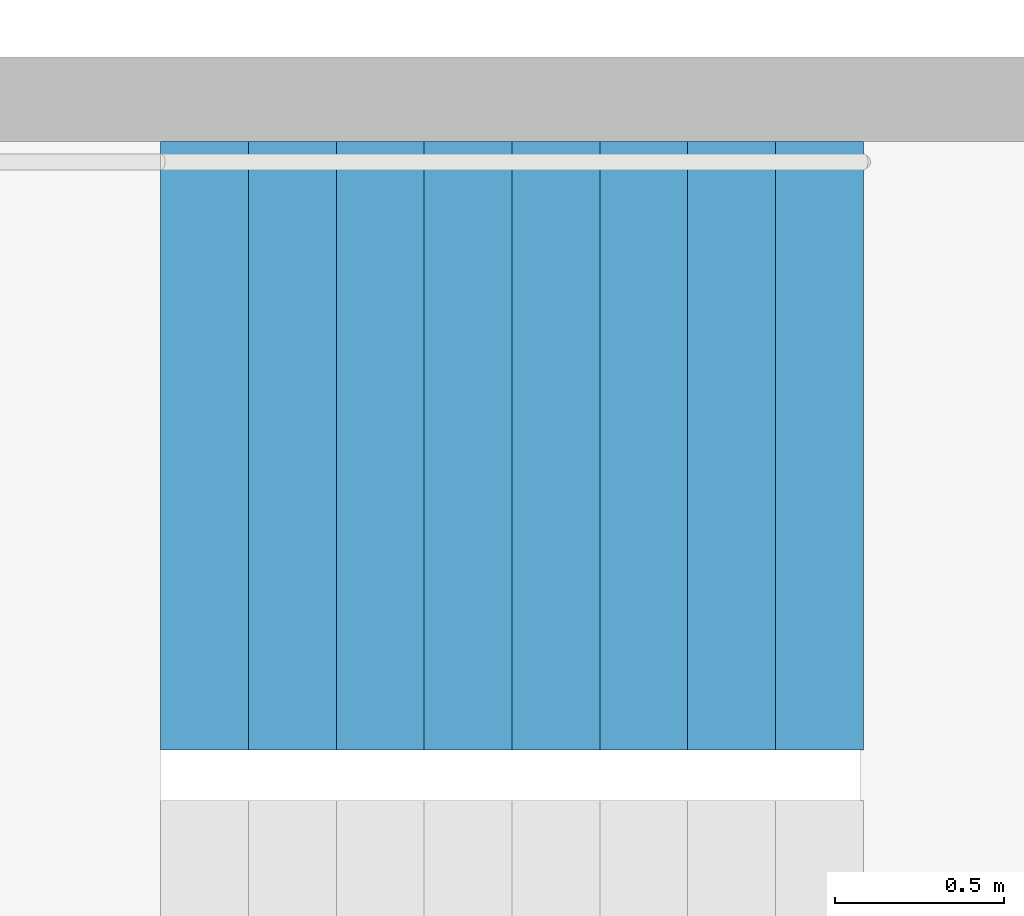
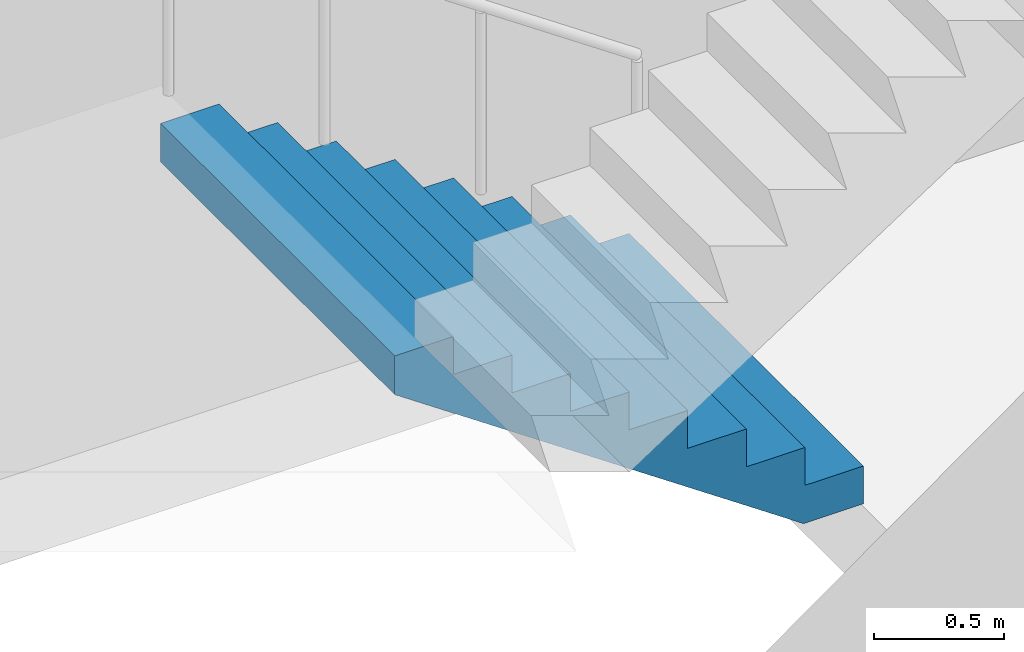
# One storey, part 22 of 36: 1 stair flight, 1 element without a shape of its own.
"""IFC4 building model written with IfcOpenShell, lengths in metres."""

from ifc_helpers import new_model, si_unit, direction, frame, origin, place, context, subcontext, project, spatial, triangles, material, type_object, element, aggregate, save


model = new_model("IFC4")

# Units and contexts
model_context = context("Model", 3, precision=1e-05, world=origin(), true_north=direction((0.0, 1.0)))
body_context = subcontext(model_context, "Body", "Model", "MODEL_VIEW")
ifc_project = project(units=[si_unit("LENGTHUNIT", "METRE"), si_unit("AREAUNIT", "SQUARE_METRE"), si_unit("VOLUMEUNIT", "CUBIC_METRE"), si_unit("PLANEANGLEUNIT", "RADIAN"), si_unit("MASSUNIT", "GRAM", prefix="KILO")], contexts=[model_context])

# Site, building, storey
site_placement = place(None, origin())
site = spatial("IfcSite", under=ifc_project, at=site_placement, CompositionType="ELEMENT")
building_placement = place(site_placement, origin())
building = spatial("IfcBuilding", under=site, at=building_placement, Name="Hakoniwa Tower and Hamabe Station Hall", CompositionType="ELEMENT")
storey_placement = place(building_placement, frame((0.0, 0.0, 26.199951171875)))
storey = spatial("IfcBuildingStorey", under=building, at=storey_placement, Name="L06", CompositionType="ELEMENT", Elevation=26.199951171875)

# Stair, stair flight
ifc_material_1 = material(Name="Concrete C40", Category="concrete")
stair_type = type_object("IfcStairType", Name="ESCAPE STAIR 1800", PredefinedType="HALF_TURN_STAIR", material=ifc_material_1)
stair_placement = place(storey_placement, origin())
stair = element("IfcStair", 1, at=stair_placement, inside=storey, type_object=stair_type, Name="Escape stair ST-2 L06", PredefinedType="HALF_TURN_STAIR")
ifc_material_2 = material(Name="Concrete C40", Category="concrete")
stair_flight_type = type_object("IfcStairFlightType", Name="STAIR FLIGHT 1800", PredefinedType="STRAIGHT", material=ifc_material_2)
stair_flight_placement = place(storey_placement, frame((-23.39990234375, -4.64990234375, 0.0), z_axis=(0.0, 0.0, 1.0), x_axis=(-1.0, 0.0, 0.0)))
stair_flight = element("IfcStairFlight", 2, at=stair_flight_placement, type_object=stair_flight_type, Name="ST-2 flight 1", NumberOfRisers=9, NumberOfTreads=8, PredefinedType="STRAIGHT", RiserHeight=0.177777778, TreadLength=0.26, context=body_context, shape_type="Tessellation", body=[
    triangles([(0.0, 0.89990234375, 0.0), (0.260009765625, 0.89990234375, 0.0), (0.265625, 0.89990234375, 0.0), (0.52001953125, 0.89990234375, 0.174072265625), (0.780029296875, 0.89990234375, 0.351806640625), (1.0400390625, 0.89990234375, 0.529541015625), (1.300048828125, 0.89990234375, 0.707275390625), (1.56005859375, 0.89990234375, 0.885009765625), (1.820068359375, 0.89990234375, 1.062744140625), (2.080078125, 0.89990234375, 1.24072265625), (2.080078125, 0.89990234375, 1.422119140625), (1.820068359375, 0.89990234375, 1.422119140625), (1.820068359375, 0.89990234375, 1.244384765625), (1.56005859375, 0.89990234375, 1.244384765625), (1.56005859375, 0.89990234375, 1.066650390625), (1.300048828125, 0.89990234375, 1.066650390625), (1.300048828125, 0.89990234375, 0.888916015625), (1.0400390625, 0.89990234375, 0.888916015625), (1.0400390625, 0.89990234375, 0.711181640625), (0.780029296875, 0.89990234375, 0.711181640625), (0.780029296875, 0.89990234375, 0.533447265625), (0.52001953125, 0.89990234375, 0.533447265625), (0.52001953125, 0.89990234375, 0.35546875), (0.265625, 0.89990234375, 0.35546875), (0.260009765625, 0.89990234375, 0.35546875), (0.260009765625, 0.89990234375, 0.177734375), (0.0, 0.89990234375, 0.177734375), (0.0, 0.06005859375, 0.0), (0.260009765625, 0.06005859375, 0.0), (0.265625, 0.06005859375, 0.0), (0.52001953125, 0.06005859375, 0.174072265625), (0.780029296875, 0.06005859375, 0.351806640625), (1.0400390625, 0.06005859375, 0.529541015625), (1.300048828125, 0.06005859375, 0.707275390625), (1.56005859375, 0.06005859375, 0.885009765625), (1.820068359375, 0.06005859375, 1.062744140625), (2.080078125, 0.06005859375, 1.24072265625), (2.080078125, 0.06005859375, 1.422119140625), (1.820068359375, 0.06005859375, 1.422119140625), (1.820068359375, 0.06005859375, 1.244384765625), (1.56005859375, 0.06005859375, 1.244384765625), (1.56005859375, 0.06005859375, 1.066650390625), (1.300048828125, 0.06005859375, 1.066650390625), (1.300048828125, 0.06005859375, 0.888916015625), (1.0400390625, 0.06005859375, 0.888916015625), (1.0400390625, 0.06005859375, 0.711181640625), (0.780029296875, 0.06005859375, 0.711181640625), (0.780029296875, 0.06005859375, 0.533447265625), (0.52001953125, 0.06005859375, 0.533447265625), (0.52001953125, 0.06005859375, 0.35546875), (0.265625, 0.06005859375, 0.35546875), (0.260009765625, 0.06005859375, 0.35546875), (0.260009765625, 0.06005859375, 0.177734375), (0.0, 0.06005859375, 0.177734375), (0.0, 0.04296875, 0.0), (0.260009765625, 0.04296875, 0.0), (0.265625, 0.04296875, 0.0), (0.52001953125, 0.04296875, 0.174072265625), (0.780029296875, 0.04296875, 0.351806640625), (1.0400390625, 0.04296875, 0.529541015625), (1.300048828125, 0.04296875, 0.707275390625), (1.56005859375, 0.04296875, 0.885009765625), (1.820068359375, 0.04296875, 1.062744140625), (2.080078125, 0.04296875, 1.24072265625), (2.080078125, 0.04296875, 1.422119140625), (1.820068359375, 0.04296875, 1.422119140625), (1.820068359375, 0.04296875, 1.244384765625), (1.56005859375, 0.04296875, 1.244384765625), (1.56005859375, 0.04296875, 1.066650390625), (1.300048828125, 0.04296875, 1.066650390625), (1.300048828125, 0.04296875, 0.888916015625), (1.0400390625, 0.04296875, 0.888916015625), (1.0400390625, 0.04296875, 0.711181640625), (0.780029296875, 0.04296875, 0.711181640625), (0.780029296875, 0.04296875, 0.533447265625), (0.52001953125, 0.04296875, 0.533447265625), (0.52001953125, 0.04296875, 0.35546875), (0.265625, 0.04296875, 0.35546875), (0.260009765625, 0.04296875, 0.35546875), (0.260009765625, 0.04296875, 0.177734375), (0.0, 0.04296875, 0.177734375), (0.0, 0.025634765625, 0.0), (0.260009765625, 0.025634765625, 0.0), (0.265625, 0.025634765625, 0.0), (0.52001953125, 0.025634765625, 0.174072265625), (0.780029296875, 0.025634765625, 0.351806640625), (1.0400390625, 0.025634765625, 0.529541015625), (1.300048828125, 0.025634765625, 0.707275390625), (1.56005859375, 0.025634765625, 0.885009765625), (1.820068359375, 0.025634765625, 1.062744140625), (2.080078125, 0.025634765625, 1.24072265625), (2.080078125, 0.025634765625, 1.422119140625), (1.820068359375, 0.025634765625, 1.422119140625), (1.820068359375, 0.025634765625, 1.244384765625), (1.56005859375, 0.025634765625, 1.244384765625), (1.56005859375, 0.025634765625, 1.066650390625), (1.300048828125, 0.025634765625, 1.066650390625), (1.300048828125, 0.025634765625, 0.888916015625), (1.0400390625, 0.025634765625, 0.888916015625), (1.0400390625, 0.025634765625, 0.711181640625), (0.780029296875, 0.025634765625, 0.711181640625), (0.780029296875, 0.025634765625, 0.533447265625), (0.52001953125, 0.025634765625, 0.533447265625), (0.52001953125, 0.025634765625, 0.35546875), (0.265625, 0.025634765625, 0.35546875), (0.260009765625, 0.025634765625, 0.35546875), (0.260009765625, 0.025634765625, 0.177734375), (0.0, 0.025634765625, 0.177734375), (0.0, 0.008544921875, 0.0), (0.260009765625, 0.008544921875, 0.0), (0.265625, 0.008544921875, 0.0), (0.52001953125, 0.008544921875, 0.174072265625), (0.780029296875, 0.008544921875, 0.351806640625), (1.0400390625, 0.008544921875, 0.529541015625), (1.300048828125, 0.008544921875, 0.707275390625), (1.56005859375, 0.008544921875, 0.885009765625), (1.820068359375, 0.008544921875, 1.062744140625), (2.080078125, 0.008544921875, 1.24072265625), (2.080078125, 0.008544921875, 1.422119140625), (1.820068359375, 0.008544921875, 1.422119140625), (1.820068359375, 0.008544921875, 1.244384765625), (1.56005859375, 0.008544921875, 1.244384765625), (1.56005859375, 0.008544921875, 1.066650390625), (1.300048828125, 0.008544921875, 1.066650390625), (1.300048828125, 0.008544921875, 0.888916015625), (1.0400390625, 0.008544921875, 0.888916015625), (1.0400390625, 0.008544921875, 0.711181640625), (0.780029296875, 0.008544921875, 0.711181640625), (0.780029296875, 0.008544921875, 0.533447265625), (0.52001953125, 0.008544921875, 0.533447265625), (0.52001953125, 0.008544921875, 0.35546875), (0.265625, 0.008544921875, 0.35546875), (0.260009765625, 0.008544921875, 0.35546875), (0.260009765625, 0.008544921875, 0.177734375), (0.0, 0.008544921875, 0.177734375), (0.0, -0.008544921875, 0.0), (0.260009765625, -0.008544921875, 0.0), (0.265625, -0.008544921875, 0.0), (0.52001953125, -0.008544921875, 0.174072265625), (0.780029296875, -0.008544921875, 0.351806640625), (1.0400390625, -0.008544921875, 0.529541015625), (1.300048828125, -0.008544921875, 0.707275390625), (1.56005859375, -0.008544921875, 0.885009765625), (1.820068359375, -0.008544921875, 1.062744140625), (2.080078125, -0.008544921875, 1.24072265625), (2.080078125, -0.008544921875, 1.422119140625), (1.820068359375, -0.008544921875, 1.422119140625), (1.820068359375, -0.008544921875, 1.244384765625), (1.56005859375, -0.008544921875, 1.244384765625), (1.56005859375, -0.008544921875, 1.066650390625), (1.300048828125, -0.008544921875, 1.066650390625), (1.300048828125, -0.008544921875, 0.888916015625), (1.0400390625, -0.008544921875, 0.888916015625), (1.0400390625, -0.008544921875, 0.711181640625), (0.780029296875, -0.008544921875, 0.711181640625), (0.780029296875, -0.008544921875, 0.533447265625), (0.52001953125, -0.008544921875, 0.533447265625), (0.52001953125, -0.008544921875, 0.35546875), (0.265625, -0.008544921875, 0.35546875), (0.260009765625, -0.008544921875, 0.35546875), (0.260009765625, -0.008544921875, 0.177734375), (0.0, -0.008544921875, 0.177734375), (0.0, -0.025634765625, 0.0), (0.260009765625, -0.025634765625, 0.0), (0.265625, -0.025634765625, 0.0), (0.52001953125, -0.025634765625, 0.174072265625), (0.780029296875, -0.025634765625, 0.351806640625), (1.0400390625, -0.025634765625, 0.529541015625), (1.300048828125, -0.025634765625, 0.707275390625), (1.56005859375, -0.025634765625, 0.885009765625), (1.820068359375, -0.025634765625, 1.062744140625), (2.080078125, -0.025634765625, 1.24072265625), (2.080078125, -0.025634765625, 1.422119140625), (1.820068359375, -0.025634765625, 1.422119140625), (1.820068359375, -0.025634765625, 1.244384765625), (1.56005859375, -0.025634765625, 1.244384765625), (1.56005859375, -0.025634765625, 1.066650390625), (1.300048828125, -0.025634765625, 1.066650390625), (1.300048828125, -0.025634765625, 0.888916015625), (1.0400390625, -0.025634765625, 0.888916015625), (1.0400390625, -0.025634765625, 0.711181640625), (0.780029296875, -0.025634765625, 0.711181640625), (0.780029296875, -0.025634765625, 0.533447265625), (0.52001953125, -0.025634765625, 0.533447265625), (0.52001953125, -0.025634765625, 0.35546875), (0.265625, -0.025634765625, 0.35546875), (0.260009765625, -0.025634765625, 0.35546875), (0.260009765625, -0.025634765625, 0.177734375), (0.0, -0.025634765625, 0.177734375), (0.0, -0.04296875, 0.0), (0.260009765625, -0.04296875, 0.0), (0.265625, -0.04296875, 0.0), (0.52001953125, -0.04296875, 0.174072265625), (0.780029296875, -0.04296875, 0.351806640625), (1.0400390625, -0.04296875, 0.529541015625), (1.300048828125, -0.04296875, 0.707275390625), (1.56005859375, -0.04296875, 0.885009765625), (1.820068359375, -0.04296875, 1.062744140625), (2.080078125, -0.04296875, 1.24072265625), (2.080078125, -0.04296875, 1.422119140625), (1.820068359375, -0.04296875, 1.422119140625), (1.820068359375, -0.04296875, 1.244384765625), (1.56005859375, -0.04296875, 1.244384765625), (1.56005859375, -0.04296875, 1.066650390625), (1.300048828125, -0.04296875, 1.066650390625), (1.300048828125, -0.04296875, 0.888916015625), (1.0400390625, -0.04296875, 0.888916015625), (1.0400390625, -0.04296875, 0.711181640625), (0.780029296875, -0.04296875, 0.711181640625), (0.780029296875, -0.04296875, 0.533447265625), (0.52001953125, -0.04296875, 0.533447265625), (0.52001953125, -0.04296875, 0.35546875), (0.265625, -0.04296875, 0.35546875), (0.260009765625, -0.04296875, 0.35546875), (0.260009765625, -0.04296875, 0.177734375), (0.0, -0.04296875, 0.177734375), (0.0, -0.06005859375, 0.0), (0.260009765625, -0.06005859375, 0.0), (0.265625, -0.06005859375, 0.0), (0.52001953125, -0.06005859375, 0.174072265625), (0.780029296875, -0.06005859375, 0.351806640625), (1.0400390625, -0.06005859375, 0.529541015625), (1.300048828125, -0.06005859375, 0.707275390625), (1.56005859375, -0.06005859375, 0.885009765625), (1.820068359375, -0.06005859375, 1.062744140625), (2.080078125, -0.06005859375, 1.24072265625), (2.080078125, -0.06005859375, 1.422119140625), (1.820068359375, -0.06005859375, 1.422119140625), (1.820068359375, -0.06005859375, 1.244384765625), (1.56005859375, -0.06005859375, 1.244384765625), (1.56005859375, -0.06005859375, 1.066650390625), (1.300048828125, -0.06005859375, 1.066650390625), (1.300048828125, -0.06005859375, 0.888916015625), (1.0400390625, -0.06005859375, 0.888916015625), (1.0400390625, -0.06005859375, 0.711181640625), (0.780029296875, -0.06005859375, 0.711181640625), (0.780029296875, -0.06005859375, 0.533447265625), (0.52001953125, -0.06005859375, 0.533447265625), (0.52001953125, -0.06005859375, 0.35546875), (0.265625, -0.06005859375, 0.35546875), (0.260009765625, -0.06005859375, 0.35546875), (0.260009765625, -0.06005859375, 0.177734375), (0.0, -0.06005859375, 0.177734375), (0.0, -0.89990234375, 0.0), (0.260009765625, -0.89990234375, 0.0), (0.265625, -0.89990234375, 0.0), (0.52001953125, -0.89990234375, 0.174072265625), (0.780029296875, -0.89990234375, 0.351806640625), (1.0400390625, -0.89990234375, 0.529541015625), (1.300048828125, -0.89990234375, 0.707275390625), (1.56005859375, -0.89990234375, 0.885009765625), (1.820068359375, -0.89990234375, 1.062744140625), (2.080078125, -0.89990234375, 1.24072265625), (2.080078125, -0.89990234375, 1.422119140625), (1.820068359375, -0.89990234375, 1.422119140625), (1.820068359375, -0.89990234375, 1.244384765625), (1.56005859375, -0.89990234375, 1.244384765625), (1.56005859375, -0.89990234375, 1.066650390625), (1.300048828125, -0.89990234375, 1.066650390625), (1.300048828125, -0.89990234375, 0.888916015625), (1.0400390625, -0.89990234375, 0.888916015625), (1.0400390625, -0.89990234375, 0.711181640625), (0.780029296875, -0.89990234375, 0.711181640625), (0.780029296875, -0.89990234375, 0.533447265625), (0.52001953125, -0.89990234375, 0.533447265625), (0.52001953125, -0.89990234375, 0.35546875), (0.265625, -0.89990234375, 0.35546875), (0.260009765625, -0.89990234375, 0.35546875), (0.260009765625, -0.89990234375, 0.177734375), (0.0, -0.89990234375, 0.177734375)], [[2, 27, 26], [245, 269, 270], [2, 1, 27], [245, 270, 244], [3, 25, 24], [246, 267, 268], [3, 26, 25], [246, 268, 269], [3, 2, 26], [246, 269, 245], [4, 24, 23], [247, 266, 267], [4, 3, 24], [247, 267, 246], [5, 22, 21], [248, 264, 265], [5, 23, 22], [248, 265, 266], [5, 4, 23], [248, 266, 247], [6, 20, 19], [249, 262, 263], [6, 21, 20], [249, 263, 264], [6, 5, 21], [249, 264, 248], [7, 18, 17], [250, 260, 261], [7, 19, 18], [250, 261, 262], [7, 6, 19], [250, 262, 249], [8, 16, 15], [251, 258, 259], [8, 17, 16], [251, 259, 260], [8, 7, 17], [251, 260, 250], [9, 14, 13], [252, 256, 257], [9, 15, 14], [252, 257, 258], [9, 8, 15], [252, 258, 251], [10, 12, 11], [253, 254, 255], [10, 13, 12], [253, 255, 256], [10, 9, 13], [253, 256, 252], [1, 2, 29], [1, 29, 28], [28, 29, 56], [28, 56, 55], [55, 56, 83], [55, 83, 82], [82, 83, 110], [82, 110, 109], [109, 110, 137], [109, 137, 136], [136, 137, 164], [136, 164, 163], [163, 164, 191], [163, 191, 190], [190, 191, 218], [190, 218, 217], [217, 218, 245], [217, 245, 244], [2, 3, 30], [2, 30, 29], [29, 30, 57], [29, 57, 56], [56, 57, 84], [56, 84, 83], [83, 84, 111], [83, 111, 110], [110, 111, 138], [110, 138, 137], [137, 138, 165], [137, 165, 164], [164, 165, 192], [164, 192, 191], [191, 192, 219], [191, 219, 218], [218, 219, 246], [218, 246, 245], [3, 4, 31], [3, 31, 30], [30, 31, 58], [30, 58, 57], [57, 58, 85], [57, 85, 84], [84, 85, 112], [84, 112, 111], [111, 112, 139], [111, 139, 138], [138, 139, 166], [138, 166, 165], [165, 166, 193], [165, 193, 192], [192, 193, 220], [192, 220, 219], [219, 220, 247], [219, 247, 246], [4, 5, 32], [4, 32, 31], [31, 32, 59], [31, 59, 58], [58, 59, 86], [58, 86, 85], [85, 86, 113], [85, 113, 112], [112, 113, 140], [112, 140, 139], [139, 140, 167], [139, 167, 166], [166, 167, 194], [166, 194, 193], [193, 194, 221], [193, 221, 220], [220, 221, 248], [220, 248, 247], [5, 6, 33], [5, 33, 32], [32, 33, 60], [32, 60, 59], [59, 60, 87], [59, 87, 86], [86, 87, 114], [86, 114, 113], [113, 114, 141], [113, 141, 140], [140, 141, 168], [140, 168, 167], [167, 168, 195], [167, 195, 194], [194, 195, 222], [194, 222, 221], [221, 222, 249], [221, 249, 248], [6, 7, 34], [6, 34, 33], [33, 34, 61], [33, 61, 60], [60, 61, 88], [60, 88, 87], [87, 88, 115], [87, 115, 114], [114, 115, 142], [114, 142, 141], [141, 142, 169], [141, 169, 168], [168, 169, 196], [168, 196, 195], [195, 196, 223], [195, 223, 222], [222, 223, 250], [222, 250, 249], [7, 8, 35], [7, 35, 34], [34, 35, 62], [34, 62, 61], [61, 62, 89], [61, 89, 88], [88, 89, 116], [88, 116, 115], [115, 116, 143], [115, 143, 142], [142, 143, 170], [142, 170, 169], [169, 170, 197], [169, 197, 196], [196, 197, 224], [196, 224, 223], [223, 224, 251], [223, 251, 250], [8, 9, 36], [8, 36, 35], [35, 36, 63], [35, 63, 62], [62, 63, 90], [62, 90, 89], [89, 90, 117], [89, 117, 116], [116, 117, 144], [116, 144, 143], [143, 144, 171], [143, 171, 170], [170, 171, 198], [170, 198, 197], [197, 198, 225], [197, 225, 224], [224, 225, 252], [224, 252, 251], [9, 10, 37], [9, 37, 36], [36, 37, 64], [36, 64, 63], [63, 64, 91], [63, 91, 90], [90, 91, 118], [90, 118, 117], [117, 118, 145], [117, 145, 144], [144, 145, 172], [144, 172, 171], [171, 172, 199], [171, 199, 198], [198, 199, 226], [198, 226, 225], [225, 226, 253], [225, 253, 252], [10, 11, 38], [10, 38, 37], [37, 38, 65], [37, 65, 64], [64, 65, 92], [64, 92, 91], [91, 92, 119], [91, 119, 118], [118, 119, 146], [118, 146, 145], [145, 146, 173], [145, 173, 172], [172, 173, 200], [172, 200, 199], [199, 200, 227], [199, 227, 226], [226, 227, 254], [226, 254, 253], [11, 12, 39], [11, 39, 38], [38, 39, 66], [38, 66, 65], [65, 66, 93], [65, 93, 92], [92, 93, 120], [92, 120, 119], [119, 120, 147], [119, 147, 146], [146, 147, 174], [146, 174, 173], [173, 174, 201], [173, 201, 200], [200, 201, 228], [200, 228, 227], [227, 228, 255], [227, 255, 254], [12, 13, 40], [12, 40, 39], [39, 40, 67], [39, 67, 66], [66, 67, 94], [66, 94, 93], [93, 94, 121], [93, 121, 120], [120, 121, 148], [120, 148, 147], [147, 148, 175], [147, 175, 174], [174, 175, 202], [174, 202, 201], [201, 202, 229], [201, 229, 228], [228, 229, 256], [228, 256, 255], [13, 14, 41], [13, 41, 40], [40, 41, 68], [40, 68, 67], [67, 68, 95], [67, 95, 94], [94, 95, 122], [94, 122, 121], [121, 122, 149], [121, 149, 148], [148, 149, 176], [148, 176, 175], [175, 176, 203], [175, 203, 202], [202, 203, 230], [202, 230, 229], [229, 230, 257], [229, 257, 256], [14, 15, 42], [14, 42, 41], [41, 42, 69], [41, 69, 68], [68, 69, 96], [68, 96, 95], [95, 96, 123], [95, 123, 122], [122, 123, 150], [122, 150, 149], [149, 150, 177], [149, 177, 176], [176, 177, 204], [176, 204, 203], [203, 204, 231], [203, 231, 230], [230, 231, 258], [230, 258, 257], [15, 16, 43], [15, 43, 42], [42, 43, 70], [42, 70, 69], [69, 70, 97], [69, 97, 96], [96, 97, 124], [96, 124, 123], [123, 124, 151], [123, 151, 150], [150, 151, 178], [150, 178, 177], [177, 178, 205], [177, 205, 204], [204, 205, 232], [204, 232, 231], [231, 232, 259], [231, 259, 258], [16, 17, 44], [16, 44, 43], [43, 44, 71], [43, 71, 70], [70, 71, 98], [70, 98, 97], [97, 98, 125], [97, 125, 124], [124, 125, 152], [124, 152, 151], [151, 152, 179], [151, 179, 178], [178, 179, 206], [178, 206, 205], [205, 206, 233], [205, 233, 232], [232, 233, 260], [232, 260, 259], [17, 18, 45], [17, 45, 44], [44, 45, 72], [44, 72, 71], [71, 72, 99], [71, 99, 98], [98, 99, 126], [98, 126, 125], [125, 126, 153], [125, 153, 152], [152, 153, 180], [152, 180, 179], [179, 180, 207], [179, 207, 206], [206, 207, 234], [206, 234, 233], [233, 234, 261], [233, 261, 260], [18, 19, 46], [18, 46, 45], [45, 46, 73], [45, 73, 72], [72, 73, 100], [72, 100, 99], [99, 100, 127], [99, 127, 126], [126, 127, 154], [126, 154, 153], [153, 154, 181], [153, 181, 180], [180, 181, 208], [180, 208, 207], [207, 208, 235], [207, 235, 234], [234, 235, 262], [234, 262, 261], [19, 20, 47], [19, 47, 46], [46, 47, 74], [46, 74, 73], [73, 74, 101], [73, 101, 100], [100, 101, 128], [100, 128, 127], [127, 128, 155], [127, 155, 154], [154, 155, 182], [154, 182, 181], [181, 182, 209], [181, 209, 208], [208, 209, 236], [208, 236, 235], [235, 236, 263], [235, 263, 262], [20, 21, 48], [20, 48, 47], [47, 48, 75], [47, 75, 74], [74, 75, 102], [74, 102, 101], [101, 102, 129], [101, 129, 128], [128, 129, 156], [128, 156, 155], [155, 156, 183], [155, 183, 182], [182, 183, 210], [182, 210, 209], [209, 210, 237], [209, 237, 236], [236, 237, 264], [236, 264, 263], [21, 22, 49], [21, 49, 48], [48, 49, 76], [48, 76, 75], [75, 76, 103], [75, 103, 102], [102, 103, 130], [102, 130, 129], [129, 130, 157], [129, 157, 156], [156, 157, 184], [156, 184, 183], [183, 184, 211], [183, 211, 210], [210, 211, 238], [210, 238, 237], [237, 238, 265], [237, 265, 264], [22, 23, 50], [22, 50, 49], [49, 50, 77], [49, 77, 76], [76, 77, 104], [76, 104, 103], [103, 104, 131], [103, 131, 130], [130, 131, 158], [130, 158, 157], [157, 158, 185], [157, 185, 184], [184, 185, 212], [184, 212, 211], [211, 212, 239], [211, 239, 238], [238, 239, 266], [238, 266, 265], [23, 24, 51], [23, 51, 50], [50, 51, 78], [50, 78, 77], [77, 78, 105], [77, 105, 104], [104, 105, 132], [104, 132, 131], [131, 132, 159], [131, 159, 158], [158, 159, 186], [158, 186, 185], [185, 186, 213], [185, 213, 212], [212, 213, 240], [212, 240, 239], [239, 240, 267], [239, 267, 266], [24, 25, 52], [24, 52, 51], [51, 52, 79], [51, 79, 78], [78, 79, 106], [78, 106, 105], [105, 106, 133], [105, 133, 132], [132, 133, 160], [132, 160, 159], [159, 160, 187], [159, 187, 186], [186, 187, 214], [186, 214, 213], [213, 214, 241], [213, 241, 240], [240, 241, 268], [240, 268, 267], [25, 26, 53], [25, 53, 52], [52, 53, 80], [52, 80, 79], [79, 80, 107], [79, 107, 106], [106, 107, 134], [106, 134, 133], [133, 134, 161], [133, 161, 160], [160, 161, 188], [160, 188, 187], [187, 188, 215], [187, 215, 214], [214, 215, 242], [214, 242, 241], [241, 242, 269], [241, 269, 268], [26, 27, 54], [26, 54, 53], [53, 54, 81], [53, 81, 80], [80, 81, 108], [80, 108, 107], [107, 108, 135], [107, 135, 134], [134, 135, 162], [134, 162, 161], [161, 162, 189], [161, 189, 188], [188, 189, 216], [188, 216, 215], [215, 216, 243], [215, 243, 242], [242, 243, 270], [242, 270, 269], [27, 1, 28], [27, 28, 54], [54, 28, 55], [54, 55, 81], [81, 55, 82], [81, 82, 108], [108, 82, 109], [108, 109, 135], [135, 109, 136], [135, 136, 162], [162, 136, 163], [162, 163, 189], [189, 163, 190], [189, 190, 216], [216, 190, 217], [216, 217, 243], [243, 217, 244], [243, 244, 270]], closed=True),
])
aggregate(stair, [stair_flight])

save(model, "model.ifc")
